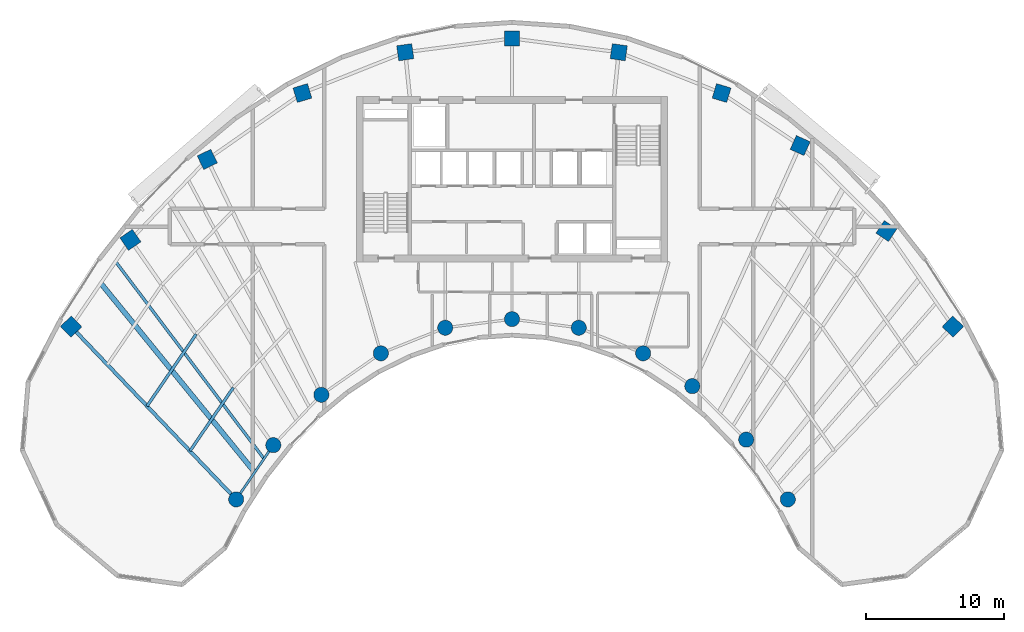
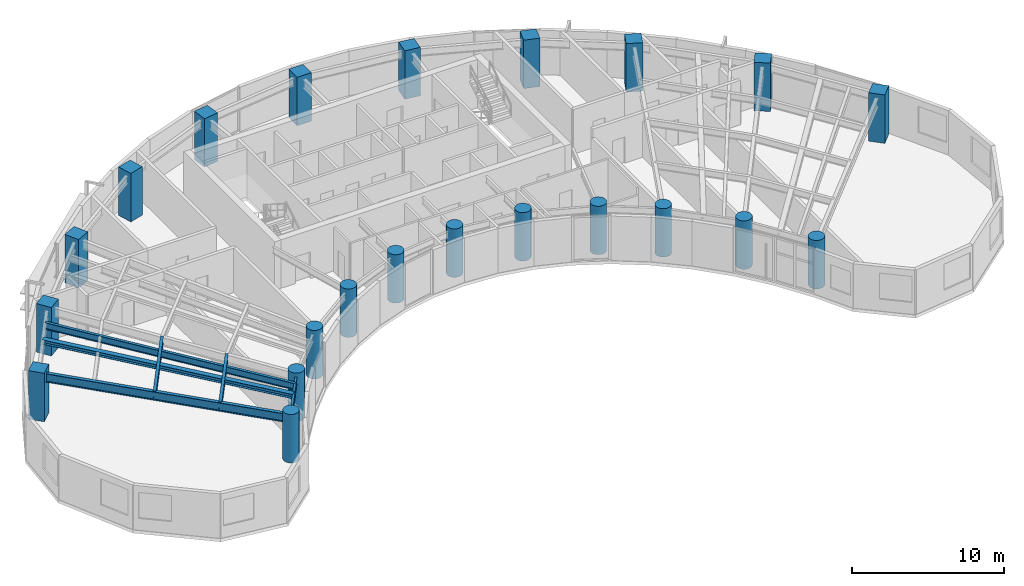
# One storey, part 1 of 13: 22 columns, 6 beams.
"""IFC4 building model written with IfcOpenShell, lengths in metres."""

from ifc_helpers import new_model, si_unit, direction, frame, origin, origin_2d, place, context, subcontext, project, spatial, rectangle, circle, i_section, extrude, source, transform, mapped, material, material_profile, profile_set, type_object, type_shapes, element, save


model = new_model("IFC4")

# Units and contexts
model_context = context("Model", 3, precision=1e-05, world=origin(), true_north=direction((0.0, 1.0)))
body_context = subcontext(model_context, "Body", "Model", "MODEL_VIEW")
ifc_project = project(units=[si_unit("LENGTHUNIT", "METRE"), si_unit("AREAUNIT", "SQUARE_METRE"), si_unit("VOLUMEUNIT", "CUBIC_METRE"), si_unit("PLANEANGLEUNIT", "RADIAN"), si_unit("MASSUNIT", "GRAM", prefix="KILO")], contexts=[model_context])

# Site, building, storey
site_placement = place(None, origin())
site = spatial("IfcSite", under=ifc_project, at=site_placement, CompositionType="ELEMENT")
building_placement = place(site_placement, origin())
building = spatial("IfcBuilding", under=site, at=building_placement, Name="Breltana Convention Tower", CompositionType="ELEMENT")
storey_placement = place(building_placement, frame((0.0, 0.0, 185.699951171875)))
storey = spatial("IfcBuildingStorey", under=building, at=storey_placement, Name="L45", CompositionType="ELEMENT", Elevation=185.699951171875)

# Columns
ifc_material_1 = material(Name="Concrete C60/75", Category="concrete")
ifc_material_profile_1 = material_profile(ifc_material_1, rectangle(XDim=1.10009765625, YDim=1.10009765625, at=origin_2d()), Name="RC-COL-1100X1100")
ifc_profile_set_1 = profile_set([ifc_material_profile_1], Name="Concrete C60/75")
column_type_1 = type_object("IfcColumnType", Name="COL-RC-1100", PredefinedType="COLUMN", material=ifc_profile_set_1)
shared_shape_1 = source(origin(), body_context, "Body", "SweptSolid", [
    extrude(rectangle(XDim=1.10009765625, YDim=1.10009765625, at=origin_2d()), origin(), (0.0, 0.0, 1.0), 3.900146484375),
])
for number, where, z_axis, x_axis, name in (
    (1, (16.0068359375, 55.494384765625, 0.0), (0.0, 0.0, 1.0), (-0.690756218984, 0.723087716626, 0.0), "L45 Tower Column R01-OUT"),
    (2, (20.310791015625, 61.78857421875, 0.0), (0.0, 0.0, 1.0), (-0.571143442153, 0.820850271661, 0.0), "L45 Tower Column R02-OUT"),
    (3, (25.8876953125, 67.626953125, 0.0), (0.0, 0.0, 1.0), (-0.436173672171, 0.899862504889, 0.0), "L45 Tower Column R03-OUT"),
    (4, (32.791015625, 72.4423828125, 0.0), (0.0, 0.0, 1.0), (-0.288697611798, 0.957420330337, 0.0), "L45 Tower Column R04-OUT"),
    (5, (40.253173828125, 75.404296875, 0.0), (0.0, 0.0, 1.0), (-0.143492621991, 0.98965138682, 0.0), "L45 Tower Column R05-OUT"),
    (6, (48.0, 76.404052734375, 0.0), (0.0, 0.0, 1.0), (0.0, 1.0, 0.0), "L45 Tower Column R06-OUT"),
    (7, (55.746826171875, 75.404296875, 0.0), (0.0, 0.0, 1.0), (0.143492621991, 0.98965138682, 0.0), "L45 Tower Column R07-OUT"),
    (8, (63.208984375, 72.4423828125, 0.0), (0.0, 0.0, 1.0), (0.288697611798, 0.957420330337, 0.0), "L45 Tower Column R08-OUT"),
    (9, (68.910400390625, 68.63330078125, 0.0), (0.0, 0.0, 1.0), (0.409126902895, 0.912477494148, 0.0), "L45 Tower Column R09-OUT"),
    (10, (75.166748046875, 62.43017578125, 0.0), (0.0, 0.0, 1.0), (0.55774510898, 0.830012285095, 0.0), "L45 Tower Column R10-OUT"),
    (11, (79.9931640625, 55.494384765625, 0.0), (0.0, 0.0, 1.0), (0.690756218984, 0.723087716626, 0.0), "L45 Tower Column R11-OUT"),
):
    element("IfcColumn", number, at=place(storey_placement, frame(where, z_axis=z_axis, x_axis=x_axis)), inside=storey, type_object=column_type_1, Name=name, PredefinedType="COLUMN", context=body_context, shape_type="MappedRepresentation", body=[
        mapped(shared_shape_1, transform((0.0, 0.0, 0.0), scale=1.0)),
    ])
ifc_material_2 = material(Name="Concrete C50/60", Category="concrete")
ifc_material_profile_2 = material_profile(ifc_material_2, circle(Radius=0.550048828125, at=origin_2d()), Name="RC-COL-D1100")
ifc_profile_set_2 = profile_set([ifc_material_profile_2], Name="Concrete C50/60")
column_type_2 = type_object("IfcColumnType", Name="COL-RC-D1100", PredefinedType="COLUMN", material=ifc_profile_set_2)
shared_shape_2 = source(origin(), body_context, "Body", "SweptSolid", [
    extrude(circle(Radius=0.550048828125, at=origin_2d()), origin(), (0.0, 0.0, 1.0), 3.900146484375),
])
for number, where, z_axis, x_axis, name in (
    (12, (27.984619140625, 42.95458984375, 0.0), (0.0, 0.0, 1.0), (-0.690756218984, 0.723087716626, 0.0), "L45 Tower Column R01-IN"),
    (13, (30.67724609375, 46.892333984375, 0.0), (0.0, 0.0, 1.0), (-0.571143442153, 0.820850271661, 0.0), "L45 Tower Column R02-IN"),
    (14, (34.166259765625, 50.544921875, 0.0), (0.0, 0.0, 1.0), (-0.436173672171, 0.899862504889, 0.0), "L45 Tower Column R03-IN"),
    (15, (38.485107421875, 53.5576171875, 0.0), (0.0, 0.0, 1.0), (-0.288697611798, 0.957420330337, 0.0), "L45 Tower Column R04-IN"),
    (16, (43.153564453125, 55.41064453125, 0.0), (0.0, 0.0, 1.0), (-0.143492621991, 0.98965138682, 0.0), "L45 Tower Column R05-IN"),
    (17, (48.0, 56.035888671875, 0.0), (0.0, 0.0, 1.0), (0.0, 1.0, 0.0), "L45 Tower Column R06-IN"),
    (18, (52.846435546875, 55.41064453125, 0.0), (0.0, 0.0, 1.0), (0.143492621991, 0.98965138682, 0.0), "L45 Tower Column R07-IN"),
    (19, (57.514892578125, 53.5576171875, 0.0), (0.0, 0.0, 1.0), (0.288697611798, 0.957420330337, 0.0), "L45 Tower Column R08-IN"),
    (20, (61.08203125, 51.174560546875, 0.0), (0.0, 0.0, 1.0), (0.409126902895, 0.912477494148, 0.0), "L45 Tower Column R09-IN"),
    (21, (64.995849609375, 47.293701171875, 0.0), (0.0, 0.0, 1.0), (0.55774510898, 0.830012285095, 0.0), "L45 Tower Column R10-IN"),
    (22, (68.015380859375, 42.95458984375, 0.0), (0.0, 0.0, 1.0), (0.690756218984, 0.723087716626, 0.0), "L45 Tower Column R11-IN"),
):
    element("IfcColumn", number, at=place(storey_placement, frame(where, z_axis=z_axis, x_axis=x_axis)), inside=storey, type_object=column_type_2, Name=name, PredefinedType="COLUMN", context=body_context, shape_type="MappedRepresentation", body=[
        mapped(shared_shape_2, transform((0.0, 0.0, 0.0), scale=1.0)),
    ])

# Beams
ifc_material_3 = material(Name="Steel ASTM A992 Grade 50", Category="steel")
ifc_material_profile_3 = material_profile(ifc_material_3, i_section(OverallWidth=0.2099609375, OverallDepth=0.537109375, WebThickness=0.010986328125, FlangeThickness=0.017333984375, at=origin_2d()), Name="W21X68")
ifc_profile_set_3 = profile_set([ifc_material_profile_3], Name="Steel ASTM A992 Grade 50")
beam_type_1 = type_object("IfcBeamType", Name="BM-JSG-04", PredefinedType="JOIST", material=ifc_profile_set_3)
shared_shape_3 = source(origin(), body_context, "Body", "SweptSolid", [
    extrude(i_section(OverallWidth=0.2099609375, OverallDepth=0.537109375, WebThickness=0.010986328125, FlangeThickness=0.017333984375, at=origin_2d()), origin(), (0.0, 0.0, 1.0), 5.569580078125),
])
type_shapes(beam_type_1, [shared_shape_3])
beam_1_placement = place(storey_placement, frame((24.630615234375, 46.4658203125, 3.3115234375), z_axis=(0.564493760458, 0.825437335237, 0.0), x_axis=(-0.825437335237, 0.564493760458, 0.0)))
element("IfcBeam", 23, at=beam_1_placement, inside=storey, type_object=beam_type_1, Name="L45 Composite Floor Joist 01.1", PredefinedType="JOIST", context=body_context, shape_type="MappedRepresentation", body=[
    mapped(shared_shape_3, transform((0.0, 0.0, 0.0), scale=1.0)),
])
shared_shape_4 = source(origin(), body_context, "Body", "SweptSolid", [
    extrude(i_section(OverallWidth=0.2099609375, OverallDepth=0.537109375, WebThickness=0.010986328125, FlangeThickness=0.017333984375, at=origin_2d()), origin(), (0.0, 0.0, 1.0), 6.311767578125),
])
beam_2_placement = place(storey_placement, frame((21.5166015625, 49.72607421875, 3.3115234375), z_axis=(0.564453712577, 0.825464721449, 0.0), x_axis=(-0.825464721449, 0.564453712577, 0.0)))
element("IfcBeam", 24, at=beam_2_placement, inside=storey, type_object=beam_type_1, Name="L45 Composite Floor Joist 01.2", PredefinedType="JOIST", context=body_context, shape_type="MappedRepresentation", body=[
    mapped(shared_shape_4, transform((0.0, 0.0, 0.0), scale=1.0)),
])
ifc_material_profile_4 = material_profile(ifc_material_3, i_section(OverallWidth=0.368896484375, OverallDepth=0.35595703125, WebThickness=0.01123046875, FlangeThickness=0.01806640625, at=origin_2d()), Name="W14X90")
ifc_profile_set_4 = profile_set([ifc_material_profile_4], Name="Steel ASTM A992 Grade 50")
beam_type_2 = type_object("IfcBeamType", Name="BM-JSG-09", PredefinedType="JOIST", material=ifc_profile_set_4)
shared_shape_5 = source(origin(), body_context, "Body", "SweptSolid", [
    extrude(i_section(OverallWidth=0.368896484375, OverallDepth=0.35595703125, WebThickness=0.01123046875, FlangeThickness=0.01806640625, at=origin_2d()), origin(), (0.0, 0.0, 1.0), 17.691650390625),
])
type_shapes(beam_type_2, [shared_shape_5])
beam_3_placement = place(storey_placement, frame((29.330810546875, 44.923583984375, 3.402099609375), z_axis=(-0.631476958478, 0.775394642044, 0.0), x_axis=(-0.775394642044, -0.631476958478, 0.0)))
element("IfcBeam", 25, at=beam_3_placement, inside=storey, type_object=beam_type_2, Name="L45 Mid-Bay Radial Trimmer 01", PredefinedType="JOIST", context=body_context, shape_type="MappedRepresentation", body=[
    mapped(shared_shape_5, transform((0.0, 0.0, 0.0), scale=1.0)),
])
shared_shape_6 = source(origin(), body_context, "Body", "SweptSolid", [
    extrude(i_section(OverallWidth=0.2099609375, OverallDepth=0.537109375, WebThickness=0.010986328125, FlangeThickness=0.017333984375, at=origin_2d()), origin(), (0.0, 0.0, 1.0), 17.9072265625),
])
beam_4_placement = place(storey_placement, frame((30.00390625, 45.907958984375, 3.3115234375), z_axis=(-0.601382105028, 0.798961553363, 0.0), x_axis=(-0.798961553363, -0.601382105028, 0.0)))
element("IfcBeam", 26, at=beam_4_placement, inside=storey, type_object=beam_type_1, Name="L45 Quarter-Bay Radial Trimmer 01", PredefinedType="JOIST", context=body_context, shape_type="MappedRepresentation", body=[
    mapped(shared_shape_6, transform((0.0, 0.0, 0.0), scale=1.0)),
])
ifc_material_profile_5 = material_profile(ifc_material_3, i_section(OverallWidth=0.25390625, OverallDepth=0.68798828125, WebThickness=0.01318359375, FlangeThickness=0.02099609375, at=origin_2d()), Name="W27X102")
ifc_profile_set_5 = profile_set([ifc_material_profile_5], Name="Steel ASTM A992 Grade 50")
beam_type_3 = type_object("IfcBeamType", Name="BM-RG-W27X102", PredefinedType="USERDEFINED", material=ifc_profile_set_5)
shared_shape_7 = source(origin(), body_context, "Body", "SweptSolid", [
    extrude(i_section(OverallWidth=0.25390625, OverallDepth=0.68798828125, WebThickness=0.01318359375, FlangeThickness=0.02099609375, at=origin_2d()), origin(), (0.0, 0.0, 1.0), 17.341064453125),
])
type_shapes(beam_type_3, [shared_shape_7])
beam_5_placement = place(storey_placement, frame((27.984619140625, 42.95458984375, 3.236083984375), z_axis=(-0.690716462293, 0.723125693581, 0.0), x_axis=(-0.723125693581, -0.690716462293, 0.0)))
element("IfcBeam", 27, at=beam_5_placement, inside=storey, type_object=beam_type_3, Name="L45 Radial Floor Girder R01", ObjectType="GIRDER", PredefinedType="USERDEFINED", context=body_context, shape_type="MappedRepresentation", body=[
    mapped(shared_shape_7, transform((0.0, 0.0, 0.0), scale=1.0)),
])
ifc_material_profile_6 = material_profile(ifc_material_3, i_section(OverallWidth=0.166015625, OverallDepth=0.534912109375, WebThickness=0.01025390625, FlangeThickness=0.0166015625, at=origin_2d()), Name="W21X57")
ifc_profile_set_6 = profile_set([ifc_material_profile_6], Name="Steel ASTM A992 Grade 50")
beam_type_4 = type_object("IfcBeamType", Name="BM-BM-W21X57", PredefinedType="BEAM", material=ifc_profile_set_6)
shared_shape_8 = source(origin(), body_context, "Body", "SweptSolid", [
    extrude(i_section(OverallWidth=0.166015625, OverallDepth=0.534912109375, WebThickness=0.01025390625, FlangeThickness=0.0166015625, at=origin_2d()), origin(), (0.0, 0.0, 1.0), 4.770263671875),
])
beam_6_placement = place(storey_placement, frame((27.984619140625, 42.95458984375, 3.3125), z_axis=(0.564452719055, 0.82546540082, 0.0), x_axis=(-0.82546540082, 0.564452719055, 0.0)))
element("IfcBeam", 28, at=beam_6_placement, inside=storey, type_object=beam_type_4, Name="L45 Inner Ring Beam 01", PredefinedType="BEAM", context=body_context, shape_type="MappedRepresentation", body=[
    mapped(shared_shape_8, transform((0.0, 0.0, 0.0), scale=1.0)),
])

save(model, "model.ifc")
